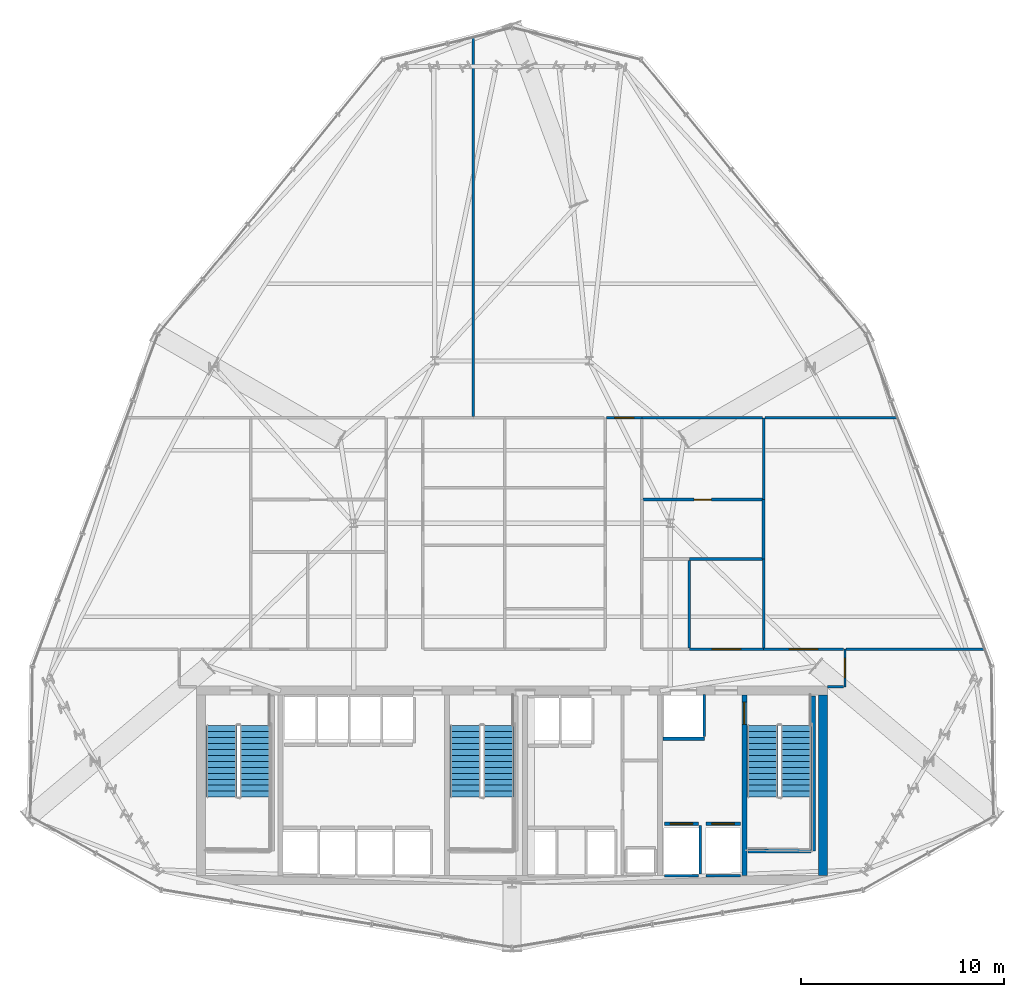
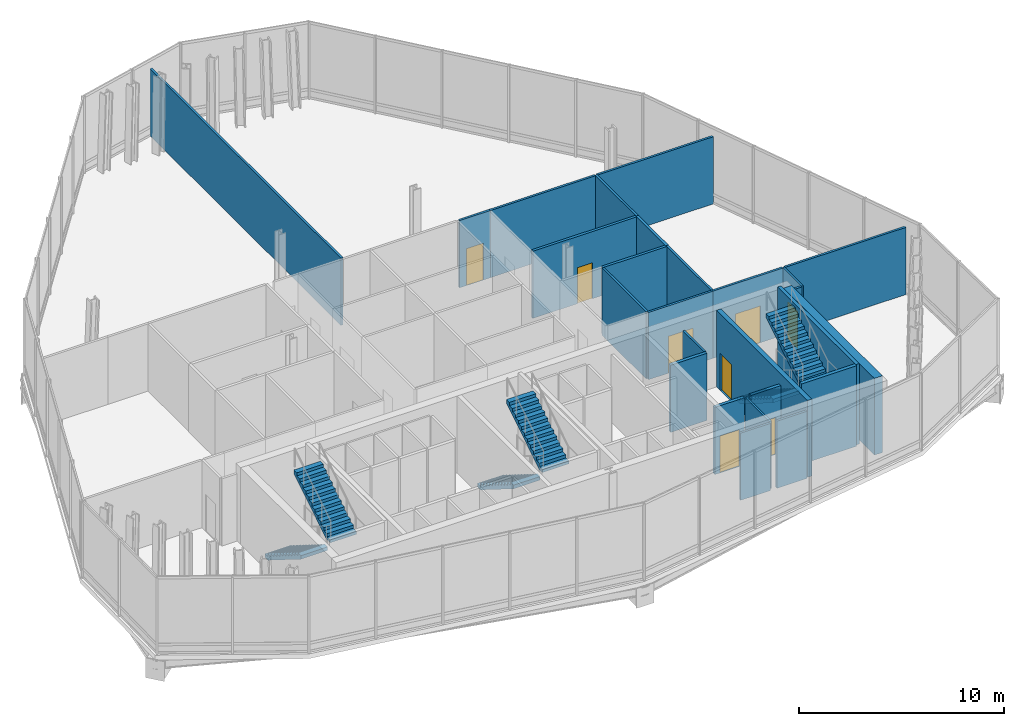
# One storey, part 23 of 26: 26 walls, 8 doors, 6 stair flights, 8 openings, 3 elements without a shape of their own.
"""IFC4 building model written with IfcOpenShell, lengths in metres."""

from ifc_helpers import new_model, si_unit, direction, frame, frame_2d, origin, place, context, subcontext, project, spatial, polyline, rectangle, outline, extrude, material, layer, layer_set, type_object, element, fill, aggregate, save


model = new_model("IFC4")

# Units and contexts
model_context = context("Model", 3, precision=1e-05, world=origin(), true_north=direction((0.0, 1.0)))
body_context = subcontext(model_context, "Body", "Model", "MODEL_VIEW")
ifc_project = project(units=[si_unit("LENGTHUNIT", "METRE"), si_unit("AREAUNIT", "SQUARE_METRE"), si_unit("VOLUMEUNIT", "CUBIC_METRE"), si_unit("PLANEANGLEUNIT", "RADIAN"), si_unit("MASSUNIT", "GRAM", prefix="KILO")], contexts=[model_context])

# Site, building, storey
site_placement = place(None, origin())
site = spatial("IfcSite", under=ifc_project, at=site_placement, CompositionType="ELEMENT")
building_placement = place(site_placement, origin())
building = spatial("IfcBuilding", under=site, at=building_placement, Name="Ndaravel Arena Tower", CompositionType="ELEMENT")
storey_placement = place(building_placement, frame((0.0, 0.0, 122.199951171875)))
storey = spatial("IfcBuildingStorey", under=building, at=storey_placement, Name="L28", CompositionType="ELEMENT", Elevation=122.199951171875)

# Wall, opening, door
ifc_material_1 = material(Name="Concrete C60/75", Category="concrete")
ifc_layer_1 = layer(ifc_material_1, 0.25)
ifc_layer_set_1 = layer_set([ifc_layer_1], Name="Concrete C60/75")
wall_type_1 = type_object("IfcWallType", Name="WALL-CORE-250", PredefinedType="SOLIDWALL", material=ifc_layer_set_1)
wall_1_placement = place(storey_placement, frame((53.449951171875, 5.85009765625, 0.0), z_axis=(0.0, 0.0, 1.0), x_axis=(0.0, 1.0, 0.0)))
wall_1 = element("IfcWall", 1, at=wall_1_placement, inside=storey, type_object=wall_type_1, Name="L28 Core Web Shear Wall 5", PredefinedType="SOLIDWALL", context=body_context, shape_type="SweptSolid", body=[
    extrude(rectangle(XDim=8.89990234375, YDim=0.25, at=frame_2d((4.449951171875, 0.0))), origin(), (0.0, 0.0, 1.0), 4.580078125),
])
opening_1_placement = place(wall_1_placement, frame((7.449951171875, 0.0, 0.0)))
opening_1 = element("IfcOpeningElement", 2, at=opening_1_placement, cuts=wall_1, Name="Opening FD-01", PredefinedType="OPENING", context=body_context, shape_type="SweptSolid", body=[
    extrude(rectangle(XDim=1.10009765625, YDim=2.199951171875, at=frame_2d((0.550048828125, 1.10009765625))), frame((0.0, 0.125, 0.0), z_axis=(0.0, -1.0, 0.0), x_axis=(1.0, 0.0, 0.0)), (0.0, 0.0, 1.0), 0.25),
])
ifc_material_2 = material(Name="Steel S355", Category="steel")
door_type_1 = type_object("IfcDoorType", Name="DT-01-STAIR-1100", OperationType="SINGLE_SWING_LEFT", PredefinedType="DOOR", material=ifc_material_2)
door_1_placement = place(opening_1_placement, origin())
door_1 = element("IfcDoor", 3, at=door_1_placement, inside=storey, type_object=door_type_1, Name="L28 Firefighting Lobby to ST-3 Door", OperationType="SINGLE_SWING_LEFT", OverallHeight=2.199951171875, OverallWidth=1.10009765625, PredefinedType="DOOR", context=body_context, shape_type="SweptSolid", body=[
    extrude(rectangle(XDim=1.10009765625, YDim=2.199951171875, at=frame_2d((0.550048828125, 1.10009765625))), frame((0.0, 0.02490234375, 0.0), z_axis=(0.0, -1.0, 0.0), x_axis=(1.0, 0.0, 0.0)), (0.0, 0.0, 1.0), 0.050048828125),
])
fill(opening_1, door_1)

# Wall
ifc_material_3 = material(Name="Concrete C60/75", Category="concrete")
ifc_layer_2 = layer(ifc_material_3, 0.449951171875)
ifc_layer_set_2 = layer_set([ifc_layer_2], Name="Concrete C60/75")
wall_type_2 = type_object("IfcWallType", Name="WALL-CORE-450", PredefinedType="SOLIDWALL", material=ifc_layer_set_2)
wall_2_placement = place(storey_placement, frame((57.324951171875, 5.85009765625, 0.0), z_axis=(0.0, 0.0, 1.0), x_axis=(0.0, 1.0, 0.0)))
element("IfcWall", 4, at=wall_2_placement, inside=storey, type_object=wall_type_2, Name="L28 Core East Shear Wall", PredefinedType="SOLIDWALL", context=body_context, shape_type="SweptSolid", body=[
    extrude(rectangle(XDim=8.89990234375, YDim=0.449951171875, at=frame_2d((4.449951171875, 0.0))), origin(), (0.0, 0.0, 1.0), 4.580078125),
])

# Wall, opening, door
ifc_material_4 = material(Name="Timber", Category="wood")
ifc_layer_3 = layer(ifc_material_4, 0.10009765625)
ifc_layer_set_3 = layer_set([ifc_layer_3], Name="Timber")
wall_type_3 = type_object("IfcWallType", Name="WALL-MOVABLE-100", PredefinedType="MOVABLE", material=ifc_layer_set_3)
wall_3_placement = place(storey_placement, frame((58.39990234375, 17.0, 0.0), z_axis=(0.0, 0.0, 1.0), x_axis=(0.0, -1.0, 0.0)))
wall_3 = element("IfcWall", 5, at=wall_3_placement, inside=storey, type_object=wall_type_3, Name="L28 Interior Partition 001", PredefinedType="MOVABLE", context=body_context, shape_type="SweptSolid", body=[
    extrude(rectangle(XDim=1.85009765625, YDim=0.10009765625, at=frame_2d((0.925048828125, 0.0))), origin(), (0.0, 0.0, 1.0), 4.010498046875),
])
opening_2_placement = place(wall_3_placement, frame((0.449951171875, 0.0, 0.0)))
opening_2 = element("IfcOpeningElement", 6, at=opening_2_placement, cuts=wall_3, Name="Opening ID-01", PredefinedType="OPENING", context=body_context, shape_type="SweptSolid", body=[
    extrude(rectangle(XDim=0.949951171875, YDim=2.199951171875, at=frame_2d((0.47509765625, 1.10009765625))), frame((0.0, 0.050048828125, 0.0), z_axis=(0.0, -1.0, 0.0), x_axis=(1.0, 0.0, 0.0)), (0.0, 0.0, 1.0), 0.10009765625),
])
ifc_material_5 = material(Name="Timber", Category="wood")
door_type_2 = type_object("IfcDoorType", Name="DT-03-OFFICE-950", OperationType="SINGLE_SWING_LEFT", PredefinedType="DOOR", material=ifc_material_5)
door_2_placement = place(opening_2_placement, origin())
door_2 = element("IfcDoor", 7, at=door_2_placement, inside=storey, type_object=door_type_2, Name="L28 Collaborative Lounge Door", OperationType="SINGLE_SWING_RIGHT", OverallHeight=2.199951171875, OverallWidth=0.949951171875, PredefinedType="DOOR", context=body_context, shape_type="SweptSolid", body=[
    extrude(rectangle(XDim=0.949951171875, YDim=2.199951171875, at=frame_2d((0.47509765625, 1.10009765625))), frame((0.0, 0.02490234375, 0.0), z_axis=(0.0, -1.0, 0.0), x_axis=(1.0, 0.0, 0.0)), (0.0, 0.0, 1.0), 0.050048828125),
])
fill(opening_2, door_2)

# Wall
ifc_material_6 = material(Name="Gypsum", Category="gypsum")
ifc_layer_4 = layer(ifc_material_6, 0.125)
ifc_layer_set_4 = layer_set([ifc_layer_4], Name="Gypsum")
wall_type_4 = type_object("IfcWallType", Name="WALL-PART-125", PredefinedType="PARTITIONING", material=ifc_layer_set_4)
wall_4_placement = place(storey_placement, frame((58.3349609375, 15.14990234375, 0.0), z_axis=(0.0, 0.0, 1.0), x_axis=(-1.0, 0.0, 0.0)))
element("IfcWall", 8, at=wall_4_placement, inside=storey, type_object=wall_type_4, Name="L28 Interior Partition 002", PredefinedType="PARTITIONING", context=body_context, shape_type="SweptSolid", body=[
    extrude(rectangle(XDim=0.784912109375, YDim=0.125, at=frame_2d((0.392578125, 0.0))), origin(), (0.0, 0.0, 1.0), 4.010498046875),
])

# Wall, opening, door
wall_5_placement = place(storey_placement, frame((46.6650390625, 28.39990234375, 0.0), z_axis=(0.0, 0.0, 1.0), x_axis=(1.0, 0.0, 0.0)))
wall_5 = element("IfcWall", 9, at=wall_5_placement, inside=storey, type_object=wall_type_4, Name="L28 Interior Partition 022", PredefinedType="PARTITIONING", context=body_context, shape_type="SweptSolid", body=[
    extrude(rectangle(XDim=1.73486328125, YDim=0.125, at=frame_2d((0.867431640625, 0.0))), origin(), (0.0, 0.0, 1.0), 4.010498046875),
])
opening_3_placement = place(wall_5_placement, frame((0.392578125, 0.0, 0.0)))
opening_3 = element("IfcOpeningElement", 10, at=opening_3_placement, cuts=wall_5, Name="Opening ID-01", PredefinedType="OPENING", context=body_context, shape_type="SweptSolid", body=[
    extrude(rectangle(XDim=0.949951171875, YDim=2.199951171875, at=frame_2d((0.47509765625, 1.10009765625))), frame((0.0, 0.0625, 0.0), z_axis=(0.0, -1.0, 0.0), x_axis=(1.0, 0.0, 0.0)), (0.0, 0.0, 1.0), 0.125),
])
door_3_placement = place(opening_3_placement, origin())
door_3 = element("IfcDoor", 11, at=door_3_placement, inside=storey, type_object=door_type_2, Name="L28 Executive Boardroom 9 Door", OperationType="SINGLE_SWING_LEFT", OverallHeight=2.199951171875, OverallWidth=0.949951171875, PredefinedType="DOOR", context=body_context, shape_type="SweptSolid", body=[
    extrude(rectangle(XDim=0.949951171875, YDim=2.199951171875, at=frame_2d((0.47509765625, 1.10009765625))), frame((0.0, 0.02490234375, 0.0), z_axis=(0.0, -1.0, 0.0), x_axis=(1.0, 0.0, 0.0)), (0.0, 0.0, 1.0), 0.050048828125),
])
fill(opening_3, door_3)

wall_6_placement = place(storey_placement, frame((50.739990234375, 17.0, 0.0), z_axis=(0.0, 0.0, 1.0), x_axis=(1.0, 0.0, 0.0)))
wall_6 = element("IfcWall", 12, at=wall_6_placement, inside=storey, type_object=wall_type_4, Name="L28 Interior Partition 027", PredefinedType="PARTITIONING", context=body_context, shape_type="SweptSolid", body=[
    extrude(rectangle(XDim=3.659912109375, YDim=0.125, at=frame_2d((1.830078125, 0.0))), origin(), (0.0, 0.0, 1.0), 4.010498046875),
])
opening_4_placement = place(wall_6_placement, frame((1.1298828125, 0.0, 0.0)))
opening_4 = element("IfcOpeningElement", 13, at=opening_4_placement, cuts=wall_6, Name="Opening ID-02", PredefinedType="OPENING", context=body_context, shape_type="SweptSolid", body=[
    extrude(rectangle(XDim=1.39990234375, YDim=2.199951171875, at=frame_2d((0.699951171875, 1.10009765625))), frame((0.0, 0.0625, 0.0), z_axis=(0.0, -1.0, 0.0), x_axis=(1.0, 0.0, 0.0)), (0.0, 0.0, 1.0), 0.125),
])
ifc_material_7 = material(Name="Timber", Category="wood")
door_type_3 = type_object("IfcDoorType", Name="DT-04-SUITE-1400", OperationType="DOUBLE_DOOR_SINGLE_SWING", PredefinedType="DOOR", material=ifc_material_7)
door_4_placement = place(opening_4_placement, origin())
door_4 = element("IfcDoor", 14, at=door_4_placement, inside=storey, type_object=door_type_3, Name="L28 Client Conference Room 2 Door", OperationType="SINGLE_SWING_LEFT", OverallHeight=2.199951171875, OverallWidth=1.39990234375, PredefinedType="DOOR", context=body_context, shape_type="SweptSolid", body=[
    extrude(rectangle(XDim=1.39990234375, YDim=2.199951171875, at=frame_2d((0.699951171875, 1.10009765625))), frame((0.0, 0.02490234375, 0.0), z_axis=(0.0, -1.0, 0.0), x_axis=(1.0, 0.0, 0.0)), (0.0, 0.0, 1.0), 0.050048828125),
])
fill(opening_4, door_4)

wall_7_placement = place(storey_placement, frame((54.39990234375, 17.0, 0.0), z_axis=(0.0, 0.0, 1.0), x_axis=(1.0, 0.0, 0.0)))
wall_7 = element("IfcWall", 15, at=wall_7_placement, inside=storey, type_object=wall_type_4, Name="L28 Interior Partition 028", PredefinedType="PARTITIONING", context=body_context, shape_type="SweptSolid", body=[
    extrude(rectangle(XDim=3.93505859375, YDim=0.125, at=frame_2d((1.967529296875, 0.0))), origin(), (0.0, 0.0, 1.0), 4.010498046875),
])
opening_5_placement = place(wall_7_placement, frame((1.267578125, 0.0, 0.0)))
opening_5 = element("IfcOpeningElement", 16, at=opening_5_placement, cuts=wall_7, Name="Opening ID-02", PredefinedType="OPENING", context=body_context, shape_type="SweptSolid", body=[
    extrude(rectangle(XDim=1.39990234375, YDim=2.199951171875, at=frame_2d((0.699951171875, 1.10009765625))), frame((0.0, 0.0625, 0.0), z_axis=(0.0, -1.0, 0.0), x_axis=(1.0, 0.0, 0.0)), (0.0, 0.0, 1.0), 0.125),
])
door_5_placement = place(opening_5_placement, origin())
door_5 = element("IfcDoor", 17, at=door_5_placement, inside=storey, type_object=door_type_3, Name="L28 Executive Boardroom 5 Door", OperationType="SINGLE_SWING_LEFT", OverallHeight=2.199951171875, OverallWidth=1.39990234375, PredefinedType="DOOR", context=body_context, shape_type="SweptSolid", body=[
    extrude(rectangle(XDim=1.39990234375, YDim=2.199951171875, at=frame_2d((0.699951171875, 1.10009765625))), frame((0.0, 0.02490234375, 0.0), z_axis=(0.0, -1.0, 0.0), x_axis=(1.0, 0.0, 0.0)), (0.0, 0.0, 1.0), 0.050048828125),
])
fill(opening_5, door_5)

# Walls
wall_8_placement = place(storey_placement, frame((58.465087890625, 17.0, 0.0), z_axis=(0.0, 0.0, 1.0), x_axis=(1.0, 0.0, 0.0)))
element("IfcWall", 18, at=wall_8_placement, inside=storey, type_object=wall_type_4, Name="L28 Interior Partition 030", PredefinedType="PARTITIONING", context=body_context, shape_type="SweptSolid", body=[
    extrude(rectangle(XDim=6.82958984375, YDim=0.125, at=frame_2d((3.414794921875, 0.0))), origin(), (0.0, 0.0, 1.0), 4.010498046875),
])
wall_9_placement = place(storey_placement, frame((50.739990234375, 21.381103515625, 0.0), z_axis=(0.0, 0.0, 1.0), x_axis=(0.0, -1.0, 0.0)))
element("IfcWall", 19, at=wall_9_placement, inside=storey, type_object=wall_type_4, Name="L28 Interior Partition 034", PredefinedType="PARTITIONING", context=body_context, shape_type="SweptSolid", body=[
    extrude(rectangle(XDim=4.316162109375, YDim=0.125, at=frame_2d((2.158203125, 0.0))), origin(), (0.0, 0.0, 1.0), 4.010498046875),
])
wall_10_placement = place(storey_placement, frame((54.39990234375, 21.446044921875, 0.0), z_axis=(0.0, 0.0, 1.0), x_axis=(0.0, -1.0, 0.0)))
element("IfcWall", 20, at=wall_10_placement, inside=storey, type_object=wall_type_4, Name="L28 Interior Partition 035", PredefinedType="PARTITIONING", context=body_context, shape_type="SweptSolid", body=[
    extrude(rectangle(XDim=4.381103515625, YDim=0.125, at=frame_2d((2.1904296875, 0.0))), origin(), (0.0, 0.0, 1.0), 4.010498046875),
])
wall_11_placement = place(storey_placement, frame((54.39990234375, 24.36669921875, 0.0), z_axis=(0.0, 0.0, 1.0), x_axis=(0.0, 1.0, 0.0)))
element("IfcWall", 21, at=wall_11_placement, inside=storey, type_object=wall_type_4, Name="L28 Interior Partition 049", PredefinedType="PARTITIONING", context=body_context, shape_type="SweptSolid", body=[
    extrude(rectangle(XDim=4.033203125, YDim=0.125, at=frame_2d((2.0166015625, 0.0))), origin(), (0.0, 0.0, 1.0), 4.010498046875),
])
wall_12_placement = place(storey_placement, frame((54.465087890625, 28.39990234375, 0.0), z_axis=(0.0, 0.0, 1.0), x_axis=(1.0, 0.0, 0.0)))
element("IfcWall", 22, at=wall_12_placement, inside=storey, type_object=wall_type_4, Name="L28 Interior Partition 050", PredefinedType="PARTITIONING", context=body_context, shape_type="SweptSolid", body=[
    extrude(rectangle(XDim=6.531005859375, YDim=0.125, at=frame_2d((3.265625, 0.0))), origin(), (0.0, 0.0, 1.0), 4.010498046875),
])
wall_13_placement = place(storey_placement, frame((48.39990234375, 28.39990234375, 0.0), z_axis=(0.0, 0.0, 1.0), x_axis=(1.0, 0.0, 0.0)))
element("IfcWall", 23, at=wall_13_placement, inside=storey, type_object=wall_type_4, Name="L28 Interior Partition 057", PredefinedType="PARTITIONING", context=body_context, shape_type="SweptSolid", body=[
    extrude(rectangle(XDim=5.93505859375, YDim=0.125, at=frame_2d((2.967529296875, 0.0))), origin(), (0.0, 0.0, 1.0), 4.010498046875),
])
wall_14_placement = place(storey_placement, frame((40.100341796875, 47.14794921875, 0.0), z_axis=(0.0, 0.0, 1.0), x_axis=(0.0, -1.0, 0.0)))
element("IfcWall", 24, at=wall_14_placement, inside=storey, type_object=wall_type_4, Name="L28 Interior Partition 062", PredefinedType="PARTITIONING", context=body_context, shape_type="SweptSolid", body=[
    extrude(rectangle(XDim=18.682861328125, YDim=0.125, at=frame_2d((9.34130859375, 0.0))), origin(), (0.0, 0.0, 1.0), 4.010498046875),
])
ifc_material_8 = material(Name="Concrete C40/50", Category="concrete")
ifc_layer_5 = layer(ifc_material_8, 0.1201171875)
ifc_layer_set_5 = layer_set([ifc_layer_5], Name="Concrete C40/50")
wall_type_5 = type_object("IfcWallType", Name="WALL-SHAFT-120", PredefinedType="SOLIDWALL", material=ifc_layer_set_5)
wall_15_placement = place(storey_placement, frame((49.5048828125, 5.840087890625, 0.0), z_axis=(0.0, 0.0, 1.0), x_axis=(1.0, 0.0, 0.0)))
element("IfcWall", 25, at=wall_15_placement, inside=storey, type_object=wall_type_5, Name="L28 FFL-1 Shaft Rear Wall", PredefinedType="SOLIDWALL", context=body_context, shape_type="SweptSolid", body=[
    extrude(rectangle(XDim=1.690185546875, YDim=0.1201171875, at=frame_2d((0.84521484375, 0.0))), origin(), (0.0, 0.0, 1.0), 4.010498046875),
])
wall_16_placement = place(storey_placement, frame((51.27490234375, 5.929931640625, 0.0), z_axis=(0.0, 0.0, 1.0), x_axis=(0.0, 1.0, 0.0)))
element("IfcWall", 26, at=wall_16_placement, inside=storey, type_object=wall_type_5, Name="L28 FFL-1 Shaft Side R Wall", PredefinedType="SOLIDWALL", context=body_context, shape_type="SweptSolid", body=[
    extrude(rectangle(XDim=2.380126953125, YDim=0.1201171875, at=frame_2d((1.18994140625, 0.0))), origin(), (0.0, 0.0, 1.0), 4.010498046875),
])
wall_17_placement = place(storey_placement, frame((51.554931640625, 5.840087890625, 0.0), z_axis=(0.0, 0.0, 1.0), x_axis=(1.0, 0.0, 0.0)))
element("IfcWall", 27, at=wall_17_placement, inside=storey, type_object=wall_type_5, Name="L28 FFL-2 Shaft Rear Wall", PredefinedType="SOLIDWALL", context=body_context, shape_type="SweptSolid", body=[
    extrude(rectangle(XDim=1.690185546875, YDim=0.1201171875, at=frame_2d((0.84521484375, 0.0))), origin(), (0.0, 0.0, 1.0), 4.010498046875),
])
wall_18_placement = place(storey_placement, frame((51.47998046875, 12.68994140625, 0.0), z_axis=(0.0, 0.0, 1.0), x_axis=(0.0, 1.0, 0.0)))
element("IfcWall", 28, at=wall_18_placement, inside=storey, type_object=wall_type_5, Name="L28 SVL-1 Shaft E Wall", PredefinedType="SOLIDWALL", context=body_context, shape_type="SweptSolid", body=[
    extrude(rectangle(XDim=2.070068359375, YDim=0.1201171875, at=frame_2d((1.03515625, 0.0))), origin(), (0.0, 0.0, 1.0), 4.010498046875),
])
ifc_material_9 = material(Name="Concrete C40/50", Category="concrete")
ifc_layer_6 = layer(ifc_material_9, 0.199951171875)
ifc_layer_set_6 = layer_set([ifc_layer_6], Name="Concrete C40/50")
wall_type_6 = type_object("IfcWallType", Name="WALL-SHAFT-200", PredefinedType="SOLIDWALL", material=ifc_layer_set_6)
wall_19_placement = place(storey_placement, frame((56.840087890625, 14.699951171875, 0.0), z_axis=(0.0, 0.0, 1.0), x_axis=(0.0, -1.0, 0.0)))
element("IfcWall", 29, at=wall_19_placement, inside=storey, type_object=wall_type_6, Name="L28 ST-3 Structural Shaft Wall Right", PredefinedType="SOLIDWALL", context=body_context, shape_type="SweptSolid", body=[
    extrude(rectangle(XDim=7.64990234375, YDim=0.199951171875, at=frame_2d((3.824951171875, 0.0))), origin(), (0.0, 0.0, 1.0), 4.800048828125),
])
wall_20_placement = place(storey_placement, frame((53.6201171875, 7.050048828125, 0.0), z_axis=(0.0, 0.0, 1.0), x_axis=(1.0, 0.0, 0.0)))
element("IfcWall", 30, at=wall_20_placement, inside=storey, type_object=wall_type_6, Name="L28 ST-3 Structural Shaft Wall Far", PredefinedType="SOLIDWALL", context=body_context, shape_type="SweptSolid", body=[
    extrude(rectangle(XDim=3.114990234375, YDim=0.199951171875, at=frame_2d((1.5576171875, 0.0))), origin(), (0.0, 0.0, 1.0), 4.800048828125),
])

# Wall, opening, door
wall_21_placement = place(storey_placement, frame((49.5048828125, 8.39990234375, 0.0), z_axis=(0.0, 0.0, 1.0), x_axis=(1.0, 0.0, 0.0)))
wall_21 = element("IfcWall", 31, at=wall_21_placement, inside=storey, type_object=wall_type_6, Name="L28 FFL-1 Shaft Landing Wall", PredefinedType="SOLIDWALL", context=body_context, shape_type="SweptSolid", body=[
    extrude(rectangle(XDim=1.690185546875, YDim=0.179931640625, at=frame_2d((0.84521484375, 0.0))), origin(), (0.0, 0.0, 1.0), 4.010498046875),
])
opening_6_placement = place(wall_21_placement, frame((0.294921875, 0.0, 0.0)))
opening_6 = element("IfcOpeningElement", 32, at=opening_6_placement, cuts=wall_21, Name="Opening LD-01", PredefinedType="OPENING", context=body_context, shape_type="SweptSolid", body=[
    extrude(rectangle(XDim=1.10009765625, YDim=2.199951171875, at=frame_2d((0.550048828125, 1.10009765625))), frame((0.0, 0.08984375, 0.0), z_axis=(0.0, -1.0, 0.0), x_axis=(1.0, 0.0, 0.0)), (0.0, 0.0, 1.0), 0.179931640625),
])
ifc_material_10 = material(Name="Steel S355", Category="steel")
door_type_4 = type_object("IfcDoorType", Name="DT-06-LIFT-1100", OperationType="SLIDING_TO_LEFT", PredefinedType="DOOR", material=ifc_material_10)
door_6_placement = place(opening_6_placement, origin())
door_6 = element("IfcDoor", 33, at=door_6_placement, inside=storey, type_object=door_type_4, Name="L28 Lift FFL-1 Sliding Landing Door", OperationType="SLIDING_TO_LEFT", OverallHeight=2.199951171875, OverallWidth=1.10009765625, PredefinedType="DOOR", context=body_context, shape_type="SweptSolid", body=[
    extrude(rectangle(XDim=1.10009765625, YDim=2.199951171875, at=frame_2d((0.550048828125, 1.10009765625))), frame((0.0, 0.02490234375, 0.0), z_axis=(0.0, -1.0, 0.0), x_axis=(1.0, 0.0, 0.0)), (0.0, 0.0, 1.0), 0.050048828125),
])
fill(opening_6, door_6)

wall_22_placement = place(storey_placement, frame((51.554931640625, 8.39990234375, 0.0), z_axis=(0.0, 0.0, 1.0), x_axis=(1.0, 0.0, 0.0)))
wall_22 = element("IfcWall", 34, at=wall_22_placement, inside=storey, type_object=wall_type_6, Name="L28 FFL-2 Shaft Landing Wall", PredefinedType="SOLIDWALL", context=body_context, shape_type="SweptSolid", body=[
    extrude(rectangle(XDim=1.690185546875, YDim=0.179931640625, at=frame_2d((0.84521484375, 0.0))), origin(), (0.0, 0.0, 1.0), 4.010498046875),
])
opening_7_placement = place(wall_22_placement, frame((0.294921875, 0.0, 0.0)))
opening_7 = element("IfcOpeningElement", 35, at=opening_7_placement, cuts=wall_22, Name="Opening LD-01", PredefinedType="OPENING", context=body_context, shape_type="SweptSolid", body=[
    extrude(rectangle(XDim=1.10009765625, YDim=2.199951171875, at=frame_2d((0.550048828125, 1.10009765625))), frame((0.0, 0.08984375, 0.0), z_axis=(0.0, -1.0, 0.0), x_axis=(1.0, 0.0, 0.0)), (0.0, 0.0, 1.0), 0.179931640625),
])
door_7_placement = place(opening_7_placement, origin())
door_7 = element("IfcDoor", 36, at=door_7_placement, inside=storey, type_object=door_type_4, Name="L28 Lift FFL-2 Sliding Landing Door", OperationType="SLIDING_TO_LEFT", OverallHeight=2.199951171875, OverallWidth=1.10009765625, PredefinedType="DOOR", context=body_context, shape_type="SweptSolid", body=[
    extrude(rectangle(XDim=1.10009765625, YDim=2.199951171875, at=frame_2d((0.550048828125, 1.10009765625))), frame((0.0, 0.02490234375, 0.0), z_axis=(0.0, -1.0, 0.0), x_axis=(1.0, 0.0, 0.0)), (0.0, 0.0, 1.0), 0.050048828125),
])
fill(opening_7, door_7)

# Walls
wall_23_placement = place(storey_placement, frame((49.43994140625, 12.594970703125, 0.0), z_axis=(0.0, 0.0, 1.0), x_axis=(1.0, 0.0, 0.0)))
element("IfcWall", 37, at=wall_23_placement, inside=storey, type_object=wall_type_6, Name="L28 SVL-1 Shaft South Wall", PredefinedType="SOLIDWALL", context=body_context, shape_type="SweptSolid", body=[
    extrude(rectangle(XDim=2.0400390625, YDim=0.179931640625, at=frame_2d((1.02001953125, 0.0))), origin(), (0.0, 0.0, 1.0), 4.010498046875),
])
ifc_material_11 = material(Name="Masonry", Category="masonry")
ifc_layer_7 = layer(ifc_material_11, 0.14990234375)
ifc_layer_set_7 = layer_set([ifc_layer_7], Name="Masonry")
wall_type_7 = type_object("IfcWallType", Name="WALL-WET-150", PredefinedType="PARTITIONING", material=ifc_layer_set_7)
wall_24_placement = place(storey_placement, frame((50.739990234375, 21.446044921875, 0.0), z_axis=(0.0, 0.0, 1.0), x_axis=(1.0, 0.0, 0.0)))
element("IfcWall", 38, at=wall_24_placement, inside=storey, type_object=wall_type_7, Name="L28 Interior Partition 036", PredefinedType="PARTITIONING", context=body_context, shape_type="SweptSolid", body=[
    extrude(rectangle(XDim=3.594970703125, YDim=0.14990234375, at=frame_2d((1.79736328125, 0.0))), origin(), (0.0, 0.0, 1.0), 4.010498046875),
])
wall_25_placement = place(storey_placement, frame((54.39990234375, 21.446044921875, 0.0), z_axis=(0.0, 0.0, 1.0), x_axis=(0.0, 1.0, 0.0)))
element("IfcWall", 39, at=wall_25_placement, inside=storey, type_object=wall_type_7, Name="L28 Interior Partition 048", PredefinedType="PARTITIONING", context=body_context, shape_type="SweptSolid", body=[
    extrude(rectangle(XDim=2.920654296875, YDim=0.14990234375, at=frame_2d((1.46044921875, 0.0))), origin(), (0.0, 0.0, 1.0), 4.010498046875),
])

# Wall, opening, door
wall_26_placement = place(storey_placement, frame((48.465087890625, 24.36669921875, 0.0), z_axis=(0.0, 0.0, 1.0), x_axis=(1.0, 0.0, 0.0)))
wall_26 = element("IfcWall", 40, at=wall_26_placement, inside=storey, type_object=wall_type_7, Name="L28 Interior Partition 051", PredefinedType="PARTITIONING", context=body_context, shape_type="SweptSolid", body=[
    extrude(rectangle(XDim=5.869873046875, YDim=0.14990234375, at=frame_2d((2.93505859375, 0.0))), origin(), (0.0, 0.0, 1.0), 4.010498046875),
])
opening_8_placement = place(wall_26_placement, frame((2.510009765625, 0.0, 0.0)))
opening_8 = element("IfcOpeningElement", 41, at=opening_8_placement, cuts=wall_26, Name="Opening ID-03", PredefinedType="OPENING", context=body_context, shape_type="SweptSolid", body=[
    extrude(rectangle(XDim=0.85009765625, YDim=2.14990234375, at=frame_2d((0.425048828125, 1.074951171875))), frame((0.0, 0.074951171875, 0.0), z_axis=(0.0, -1.0, 0.0), x_axis=(1.0, 0.0, 0.0)), (0.0, 0.0, 1.0), 0.14990234375),
])
ifc_material_12 = material(Name="Timber", Category="wood")
door_type_5 = type_object("IfcDoorType", Name="DT-12-SUB-850", OperationType="SINGLE_SWING_LEFT", PredefinedType="DOOR", material=ifc_material_12)
door_8_placement = place(opening_8_placement, origin())
door_8 = element("IfcDoor", 42, at=door_8_placement, inside=storey, type_object=door_type_5, Name="L28 Male Staff & Visitor Restroom Door", OperationType="SINGLE_SWING_LEFT", OverallHeight=2.14990234375, OverallWidth=0.85009765625, PredefinedType="DOOR", context=body_context, shape_type="SweptSolid", body=[
    extrude(rectangle(XDim=0.85009765625, YDim=2.14990234375, at=frame_2d((0.425048828125, 1.074951171875))), frame((0.0, 0.02490234375, 0.0), z_axis=(0.0, -1.0, 0.0), x_axis=(1.0, 0.0, 0.0)), (0.0, 0.0, 1.0), 0.050048828125),
])
fill(opening_8, door_8)

# Stair, stair flights
ifc_material_13 = material(Name="Concrete C40/50", Category="concrete")
stair_type = type_object("IfcStairType", Name="STAIR-CORE-HT", PredefinedType="HALF_TURN_STAIR", material=ifc_material_13)
stair_1_placement = place(storey_placement, origin())
stair_1 = element("IfcStair", 43, at=stair_1_placement, inside=storey, type_object=stair_type, Name="L28 ST-1", PredefinedType="HALF_TURN_STAIR")
ifc_material_14 = material(Name="Concrete C40/50", Category="concrete")
stair_flight_type = type_object("IfcStairFlightType", Name="SFLIGHT-CORE-1680", PredefinedType="STRAIGHT", material=ifc_material_14)
stair_flight_1_placement = place(storey_placement, frame((27.699951171875, 13.25, 0.0), z_axis=(0.0, 0.0, 1.0), x_axis=(0.0, -1.0, 0.0)))
stair_flight_1 = element("IfcStairFlight", 44, at=stair_flight_1_placement, type_object=stair_flight_type, Name="ST-1 flight 1", NumberOfRisers=13, NumberOfTreads=12, PredefinedType="STRAIGHT", RiserHeight=0.184615385, TreadLength=0.295, context=body_context, shape_type="SweptSolid", body=[
    extrude(outline(polyline([(0.0, 0.0), (0.0, 0.1845703125), (0.294921875, 0.1845703125), (0.294921875, 0.369140625), (0.590087890625, 0.369140625), (0.590087890625, 0.553955078125), (0.885009765625, 0.553955078125), (0.885009765625, 0.738525390625), (1.179931640625, 0.738525390625), (1.179931640625, 0.923095703125), (1.47509765625, 0.923095703125), (1.47509765625, 1.107666015625), (1.77001953125, 1.107666015625), (1.77001953125, 1.292236328125), (2.06494140625, 1.292236328125), (2.06494140625, 1.476806640625), (2.360107421875, 1.476806640625), (2.360107421875, 1.66162109375), (2.655029296875, 1.66162109375), (2.655029296875, 1.84619140625), (2.949951171875, 1.84619140625), (2.949951171875, 2.03076171875), (3.2451171875, 2.03076171875), (3.2451171875, 2.21533203125), (3.5400390625, 2.21533203125), (3.5400390625, 2.39990234375), (3.5400390625, 2.003173828125), (0.339111328125, 0.0), (0.0, 0.0)])), frame((0.0, 0.75, 0.0), z_axis=(0.0, -1.0, 0.0), x_axis=(1.0, 0.0, 0.0)), (0.0, 0.0, 1.0), 1.5),
])
stair_flight_2_placement = place(storey_placement, frame((29.340087890625, 9.7099609375, 2.400146484375), z_axis=(0.0, 0.0, 1.0), x_axis=(0.0, 1.0, 0.0)))
stair_flight_2 = element("IfcStairFlight", 45, at=stair_flight_2_placement, type_object=stair_flight_type, Name="ST-1 flight 2", NumberOfRisers=13, NumberOfTreads=12, PredefinedType="STRAIGHT", RiserHeight=0.184615385, TreadLength=0.295, context=body_context, shape_type="SweptSolid", body=[
    extrude(outline(polyline([(0.0, 0.0), (0.0, 0.1845703125), (0.294921875, 0.1845703125), (0.294921875, 0.369140625), (0.590087890625, 0.369140625), (0.590087890625, 0.553955078125), (0.885009765625, 0.553955078125), (0.885009765625, 0.738525390625), (1.179931640625, 0.738525390625), (1.179931640625, 0.923095703125), (1.47509765625, 0.923095703125), (1.47509765625, 1.107666015625), (1.77001953125, 1.107666015625), (1.77001953125, 1.292236328125), (2.06494140625, 1.292236328125), (2.06494140625, 1.476806640625), (2.360107421875, 1.476806640625), (2.360107421875, 1.66162109375), (2.655029296875, 1.66162109375), (2.655029296875, 1.84619140625), (2.949951171875, 1.84619140625), (2.949951171875, 2.03076171875), (3.2451171875, 2.03076171875), (3.2451171875, 2.21533203125), (3.5400390625, 2.21533203125), (3.5400390625, 2.39990234375), (3.5400390625, 2.003173828125), (0.339111328125, 0.0), (0.0, 0.0)])), frame((0.0, 0.75, 0.0), z_axis=(0.0, -1.0, 0.0), x_axis=(1.0, 0.0, 0.0)), (0.0, 0.0, 1.0), 1.5),
])
aggregate(stair_1, [stair_flight_1, stair_flight_2])

stair_2_placement = place(storey_placement, origin())
stair_2 = element("IfcStair", 46, at=stair_2_placement, inside=storey, type_object=stair_type, Name="L28 ST-2", PredefinedType="HALF_TURN_STAIR")
stair_flight_3_placement = place(storey_placement, frame((39.699951171875, 13.25, 0.0), z_axis=(0.0, 0.0, 1.0), x_axis=(0.0, -1.0, 0.0)))
stair_flight_3 = element("IfcStairFlight", 47, at=stair_flight_3_placement, type_object=stair_flight_type, Name="ST-2 flight 1", NumberOfRisers=13, NumberOfTreads=12, PredefinedType="STRAIGHT", RiserHeight=0.184615385, TreadLength=0.295, context=body_context, shape_type="SweptSolid", body=[
    extrude(outline(polyline([(0.0, 0.0), (0.0, 0.1845703125), (0.294921875, 0.1845703125), (0.294921875, 0.369140625), (0.590087890625, 0.369140625), (0.590087890625, 0.553955078125), (0.885009765625, 0.553955078125), (0.885009765625, 0.738525390625), (1.179931640625, 0.738525390625), (1.179931640625, 0.923095703125), (1.47509765625, 0.923095703125), (1.47509765625, 1.107666015625), (1.77001953125, 1.107666015625), (1.77001953125, 1.292236328125), (2.06494140625, 1.292236328125), (2.06494140625, 1.476806640625), (2.360107421875, 1.476806640625), (2.360107421875, 1.66162109375), (2.655029296875, 1.66162109375), (2.655029296875, 1.84619140625), (2.949951171875, 1.84619140625), (2.949951171875, 2.03076171875), (3.2451171875, 2.03076171875), (3.2451171875, 2.21533203125), (3.5400390625, 2.21533203125), (3.5400390625, 2.39990234375), (3.5400390625, 2.003173828125), (0.339111328125, 0.0), (0.0, 0.0)])), frame((0.0, 0.75, 0.0), z_axis=(0.0, -1.0, 0.0), x_axis=(1.0, 0.0, 0.0)), (0.0, 0.0, 1.0), 1.5),
])
stair_flight_4_placement = place(storey_placement, frame((41.340087890625, 9.7099609375, 2.400146484375), z_axis=(0.0, 0.0, 1.0), x_axis=(0.0, 1.0, 0.0)))
stair_flight_4 = element("IfcStairFlight", 48, at=stair_flight_4_placement, type_object=stair_flight_type, Name="ST-2 flight 2", NumberOfRisers=13, NumberOfTreads=12, PredefinedType="STRAIGHT", RiserHeight=0.184615385, TreadLength=0.295, context=body_context, shape_type="SweptSolid", body=[
    extrude(outline(polyline([(0.0, 0.0), (0.0, 0.1845703125), (0.294921875, 0.1845703125), (0.294921875, 0.369140625), (0.590087890625, 0.369140625), (0.590087890625, 0.553955078125), (0.885009765625, 0.553955078125), (0.885009765625, 0.738525390625), (1.179931640625, 0.738525390625), (1.179931640625, 0.923095703125), (1.47509765625, 0.923095703125), (1.47509765625, 1.107666015625), (1.77001953125, 1.107666015625), (1.77001953125, 1.292236328125), (2.06494140625, 1.292236328125), (2.06494140625, 1.476806640625), (2.360107421875, 1.476806640625), (2.360107421875, 1.66162109375), (2.655029296875, 1.66162109375), (2.655029296875, 1.84619140625), (2.949951171875, 1.84619140625), (2.949951171875, 2.03076171875), (3.2451171875, 2.03076171875), (3.2451171875, 2.21533203125), (3.5400390625, 2.21533203125), (3.5400390625, 2.39990234375), (3.5400390625, 2.003173828125), (0.339111328125, 0.0), (0.0, 0.0)])), frame((0.0, 0.75, 0.0), z_axis=(0.0, -1.0, 0.0), x_axis=(1.0, 0.0, 0.0)), (0.0, 0.0, 1.0), 1.5),
])
aggregate(stair_2, [stair_flight_3, stair_flight_4])

stair_3_placement = place(storey_placement, origin())
stair_3 = element("IfcStair", 49, at=stair_3_placement, inside=storey, type_object=stair_type, Name="L28 ST-3", PredefinedType="HALF_TURN_STAIR")
stair_flight_5_placement = place(storey_placement, frame((54.35009765625, 13.25, 0.0), z_axis=(0.0, 0.0, 1.0), x_axis=(0.0, -1.0, 0.0)))
stair_flight_5 = element("IfcStairFlight", 50, at=stair_flight_5_placement, type_object=stair_flight_type, Name="ST-3 flight 1", NumberOfRisers=13, NumberOfTreads=12, PredefinedType="STRAIGHT", RiserHeight=0.184615385, TreadLength=0.295, context=body_context, shape_type="SweptSolid", body=[
    extrude(outline(polyline([(0.0, 0.0), (0.0, 0.1845703125), (0.294921875, 0.1845703125), (0.294921875, 0.369140625), (0.590087890625, 0.369140625), (0.590087890625, 0.553955078125), (0.885009765625, 0.553955078125), (0.885009765625, 0.738525390625), (1.179931640625, 0.738525390625), (1.179931640625, 0.923095703125), (1.47509765625, 0.923095703125), (1.47509765625, 1.107666015625), (1.77001953125, 1.107666015625), (1.77001953125, 1.292236328125), (2.06494140625, 1.292236328125), (2.06494140625, 1.476806640625), (2.360107421875, 1.476806640625), (2.360107421875, 1.66162109375), (2.655029296875, 1.66162109375), (2.655029296875, 1.84619140625), (2.949951171875, 1.84619140625), (2.949951171875, 2.03076171875), (3.2451171875, 2.03076171875), (3.2451171875, 2.21533203125), (3.5400390625, 2.21533203125), (3.5400390625, 2.39990234375), (3.5400390625, 2.003173828125), (0.339111328125, 0.0), (0.0, 0.0)])), frame((0.0, 0.75, 0.0), z_axis=(0.0, -1.0, 0.0), x_axis=(1.0, 0.0, 0.0)), (0.0, 0.0, 1.0), 1.5),
])
stair_flight_6_placement = place(storey_placement, frame((55.989990234375, 9.7099609375, 2.400146484375), z_axis=(0.0, 0.0, 1.0), x_axis=(0.0, 1.0, 0.0)))
stair_flight_6 = element("IfcStairFlight", 51, at=stair_flight_6_placement, type_object=stair_flight_type, Name="ST-3 flight 2", NumberOfRisers=13, NumberOfTreads=12, PredefinedType="STRAIGHT", RiserHeight=0.184615385, TreadLength=0.295, context=body_context, shape_type="SweptSolid", body=[
    extrude(outline(polyline([(0.0, 0.0), (0.0, 0.1845703125), (0.294921875, 0.1845703125), (0.294921875, 0.369140625), (0.590087890625, 0.369140625), (0.590087890625, 0.553955078125), (0.885009765625, 0.553955078125), (0.885009765625, 0.738525390625), (1.179931640625, 0.738525390625), (1.179931640625, 0.923095703125), (1.47509765625, 0.923095703125), (1.47509765625, 1.107666015625), (1.77001953125, 1.107666015625), (1.77001953125, 1.292236328125), (2.06494140625, 1.292236328125), (2.06494140625, 1.476806640625), (2.360107421875, 1.476806640625), (2.360107421875, 1.66162109375), (2.655029296875, 1.66162109375), (2.655029296875, 1.84619140625), (2.949951171875, 1.84619140625), (2.949951171875, 2.03076171875), (3.2451171875, 2.03076171875), (3.2451171875, 2.21533203125), (3.5400390625, 2.21533203125), (3.5400390625, 2.39990234375), (3.5400390625, 2.003173828125), (0.339111328125, 0.0), (0.0, 0.0)])), frame((0.0, 0.75, 0.0), z_axis=(0.0, -1.0, 0.0), x_axis=(1.0, 0.0, 0.0)), (0.0, 0.0, 1.0), 1.5),
])
aggregate(stair_3, [stair_flight_5, stair_flight_6])

save(model, "model.ifc")
